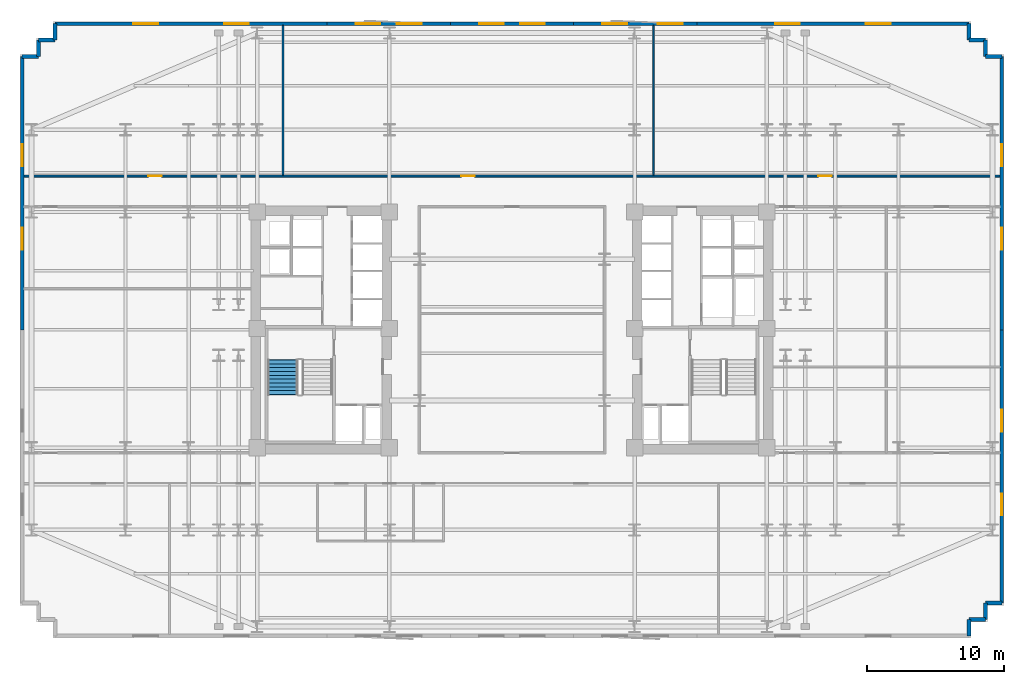
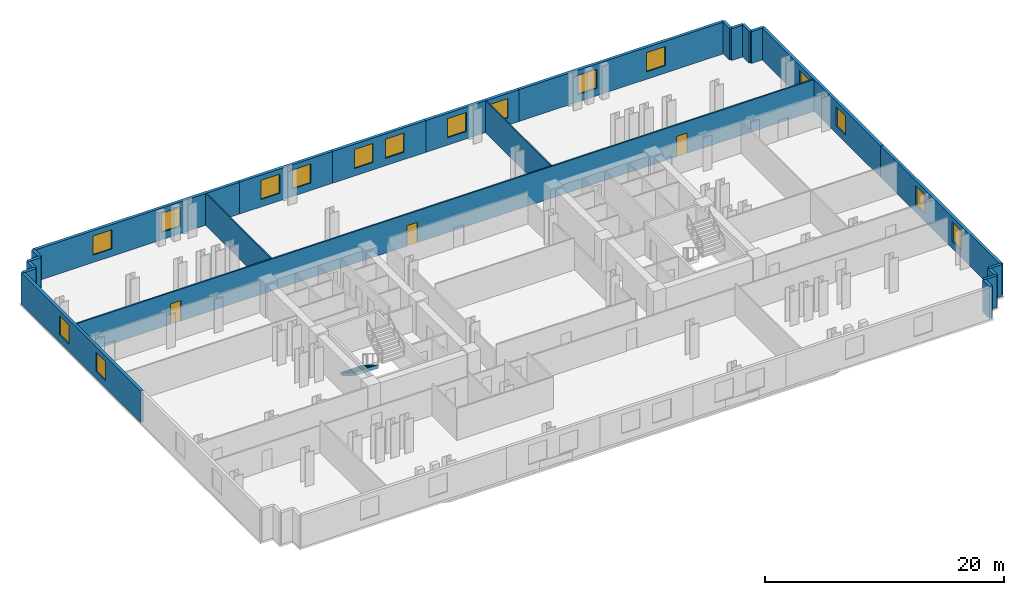
# One storey, part 7 of 10: 23 walls, 16 windows, 3 doors, 1 stair flight, 19 openings, 1 element without a shape of its own.
"""IFC4 building model written with IfcOpenShell, lengths in metres."""

from ifc_helpers import new_model, si_unit, direction, frame, frame_2d, origin, place, context, subcontext, project, spatial, polyline, rectangle, outline, extrude, material, layer, layer_set, type_object, element, fill, aggregate, save


model = new_model("IFC4")

# Units and contexts
model_context = context("Model", 3, precision=1e-05, world=origin(), true_north=direction((0.0, 1.0)))
body_context = subcontext(model_context, "Body", "Model", "MODEL_VIEW")
ifc_project = project(units=[si_unit("LENGTHUNIT", "METRE"), si_unit("AREAUNIT", "SQUARE_METRE"), si_unit("VOLUMEUNIT", "CUBIC_METRE"), si_unit("PLANEANGLEUNIT", "RADIAN"), si_unit("MASSUNIT", "GRAM", prefix="KILO")], contexts=[model_context])

# Site, building, storey
site_placement = place(None, origin())
site = spatial("IfcSite", under=ifc_project, at=site_placement, CompositionType="ELEMENT")
building_placement = place(site_placement, origin())
building = spatial("IfcBuilding", under=site, at=building_placement, Name="Velakula Bourse", CompositionType="ELEMENT")
storey_placement = place(building_placement, frame((0.0, 0.0, 38.10009765625)))
storey = spatial("IfcBuildingStorey", under=building, at=storey_placement, Name="L09", CompositionType="ELEMENT", Elevation=38.10009765625)

# Wall, openings, windows
ifc_material_1 = material(Name="Red kilned clay facing brick masonry", Category="masonry")
ifc_layer_1 = layer(ifc_material_1, 0.280029296875, Name="Red kilned clay facing brick masonry", Category="masonry")
ifc_layer_set_1 = layer_set([ifc_layer_1], Name="Red kilned clay facing brick masonry")
wall_type_1 = type_object("IfcWallType", Name="WL-EXT-BRK-280", PredefinedType="STANDARD", material=ifc_layer_set_1)
wall_1_placement = place(storey_placement, frame((-33.340087890625, 22.340087890625, 0.0), z_axis=(0.0, 0.0, 1.0), x_axis=(1.0, 0.0, 0.0)))
wall_1 = element("IfcWall", 1, at=wall_1_placement, inside=storey, type_object=wall_type_1, Name="L09 N Brick Spandrel Wall B1", PredefinedType="STANDARD", context=body_context, shape_type="SweptSolid", body=[
    extrude(rectangle(XDim=19.840087890625, YDim=0.280029296875, at=frame_2d((9.919921875, 0.0))), origin(), (0.0, 0.0, 1.0), 3.25),
])
opening_1_placement = place(wall_1_placement, frame((5.71337890625, 0.0, 0.760009765625)))
opening_1 = element("IfcOpeningElement", 2, at=opening_1_placement, cuts=wall_1, Name="Opening W-01", PredefinedType="OPENING", context=body_context, shape_type="SweptSolid", body=[
    extrude(rectangle(XDim=1.800048828125, YDim=1.949951171875, at=frame_2d((0.89990234375, 0.97509765625))), frame((0.0, 0.14990234375, 0.0), z_axis=(0.0, -1.0, 0.0), x_axis=(1.0, 0.0, 0.0)), (0.0, 0.0, 1.0), 0.300048828125),
])
opening_2_placement = place(wall_1_placement, frame((12.32666015625, 0.0, 0.760009765625)))
opening_2 = element("IfcOpeningElement", 3, at=opening_2_placement, cuts=wall_1, Name="Opening W-01", PredefinedType="OPENING", context=body_context, shape_type="SweptSolid", body=[
    extrude(rectangle(XDim=1.800048828125, YDim=1.949951171875, at=frame_2d((0.89990234375, 0.97509765625))), frame((0.0, 0.14990234375, 0.0), z_axis=(0.0, -1.0, 0.0), x_axis=(1.0, 0.0, 0.0)), (0.0, 0.0, 1.0), 0.300048828125),
])
ifc_material_2 = material(Name="Double-glazed solar-control Low-E glass", Category="glass")
window_type_1 = type_object("IfcWindowType", Name="WIN-TWR-1800x2100", PartitioningType="SINGLE_PANEL", PredefinedType="WINDOW", material=ifc_material_2)
window_1_placement = place(opening_1_placement, origin())
window_1 = element("IfcWindow", 4, at=window_1_placement, inside=storey, type_object=window_type_1, Name="L09 Deep-Set Recessed Window 1", OverallHeight=1.949951171875, OverallWidth=1.800048828125, PartitioningType="SINGLE_PANEL", PredefinedType="WINDOW", context=body_context, shape_type="SweptSolid", body=[
    extrude(rectangle(XDim=1.800048828125, YDim=1.949951171875, at=frame_2d((0.89990234375, 0.97509765625))), frame((0.0, 0.030029296875, 0.0), z_axis=(0.0, -1.0, 0.0), x_axis=(1.0, 0.0, 0.0)), (0.0, 0.0, 1.0), 0.06005859375),
])
fill(opening_1, window_1)
window_2_placement = place(opening_2_placement, origin())
window_2 = element("IfcWindow", 5, at=window_2_placement, inside=storey, type_object=window_type_1, Name="L09 Deep-Set Recessed Window 2", OverallHeight=1.949951171875, OverallWidth=1.800048828125, PartitioningType="SINGLE_PANEL", PredefinedType="WINDOW", context=body_context, shape_type="SweptSolid", body=[
    extrude(rectangle(XDim=1.800048828125, YDim=1.949951171875, at=frame_2d((0.89990234375, 0.97509765625))), frame((0.0, 0.030029296875, 0.0), z_axis=(0.0, -1.0, 0.0), x_axis=(1.0, 0.0, 0.0)), (0.0, 0.0, 1.0), 0.06005859375),
])
fill(opening_2, window_2)

wall_2_placement = place(storey_placement, frame((-13.5, 22.340087890625, 0.0), z_axis=(0.0, 0.0, 1.0), x_axis=(1.0, 0.0, 0.0)))
wall_2 = element("IfcWall", 6, at=wall_2_placement, inside=storey, type_object=wall_type_1, Name="L09 N Brick Spandrel Wall B2", PredefinedType="STANDARD", context=body_context, shape_type="SweptSolid", body=[
    extrude(rectangle(XDim=9.0, YDim=0.280029296875, at=frame_2d((4.5, 0.0))), origin(), (0.0, 0.0, 1.0), 3.25),
])
opening_3_placement = place(wall_2_placement, frame((2.10009765625, 0.0, 0.760009765625)))
opening_3 = element("IfcOpeningElement", 7, at=opening_3_placement, cuts=wall_2, Name="Opening W-01", PredefinedType="OPENING", context=body_context, shape_type="SweptSolid", body=[
    extrude(rectangle(XDim=1.800048828125, YDim=1.949951171875, at=frame_2d((0.89990234375, 0.97509765625))), frame((0.0, 0.14990234375, 0.0), z_axis=(0.0, -1.0, 0.0), x_axis=(1.0, 0.0, 0.0)), (0.0, 0.0, 1.0), 0.300048828125),
])
opening_4_placement = place(wall_2_placement, frame((5.10009765625, 0.0, 0.760009765625)))
opening_4 = element("IfcOpeningElement", 8, at=opening_4_placement, cuts=wall_2, Name="Opening W-01", PredefinedType="OPENING", context=body_context, shape_type="SweptSolid", body=[
    extrude(rectangle(XDim=1.800048828125, YDim=1.949951171875, at=frame_2d((0.89990234375, 0.97509765625))), frame((0.0, 0.14990234375, 0.0), z_axis=(0.0, -1.0, 0.0), x_axis=(1.0, 0.0, 0.0)), (0.0, 0.0, 1.0), 0.300048828125),
])
window_3_placement = place(opening_3_placement, origin())
window_3 = element("IfcWindow", 9, at=window_3_placement, inside=storey, type_object=window_type_1, Name="L09 Deep-Set Recessed Window 1", OverallHeight=1.949951171875, OverallWidth=1.800048828125, PartitioningType="SINGLE_PANEL", PredefinedType="WINDOW", context=body_context, shape_type="SweptSolid", body=[
    extrude(rectangle(XDim=1.800048828125, YDim=1.949951171875, at=frame_2d((0.89990234375, 0.97509765625))), frame((0.0, 0.030029296875, 0.0), z_axis=(0.0, -1.0, 0.0), x_axis=(1.0, 0.0, 0.0)), (0.0, 0.0, 1.0), 0.06005859375),
])
fill(opening_3, window_3)
window_4_placement = place(opening_4_placement, origin())
window_4 = element("IfcWindow", 10, at=window_4_placement, inside=storey, type_object=window_type_1, Name="L09 Deep-Set Recessed Window 2", OverallHeight=1.949951171875, OverallWidth=1.800048828125, PartitioningType="SINGLE_PANEL", PredefinedType="WINDOW", context=body_context, shape_type="SweptSolid", body=[
    extrude(rectangle(XDim=1.800048828125, YDim=1.949951171875, at=frame_2d((0.89990234375, 0.97509765625))), frame((0.0, 0.030029296875, 0.0), z_axis=(0.0, -1.0, 0.0), x_axis=(1.0, 0.0, 0.0)), (0.0, 0.0, 1.0), 0.06005859375),
])
fill(opening_4, window_4)

wall_3_placement = place(storey_placement, frame((-4.5, 22.340087890625, 0.0), z_axis=(0.0, 0.0, 1.0), x_axis=(1.0, 0.0, 0.0)))
wall_3 = element("IfcWall", 11, at=wall_3_placement, inside=storey, type_object=wall_type_1, Name="L09 N Brick Spandrel Wall B3", PredefinedType="STANDARD", context=body_context, shape_type="SweptSolid", body=[
    extrude(rectangle(XDim=9.0, YDim=0.280029296875, at=frame_2d((4.5, 0.0))), origin(), (0.0, 0.0, 1.0), 3.25),
])
opening_5_placement = place(wall_3_placement, frame((2.10009765625, 0.0, 0.760009765625)))
opening_5 = element("IfcOpeningElement", 12, at=opening_5_placement, cuts=wall_3, Name="Opening W-01", PredefinedType="OPENING", context=body_context, shape_type="SweptSolid", body=[
    extrude(rectangle(XDim=1.800048828125, YDim=1.949951171875, at=frame_2d((0.89990234375, 0.97509765625))), frame((0.0, 0.14990234375, 0.0), z_axis=(0.0, -1.0, 0.0), x_axis=(1.0, 0.0, 0.0)), (0.0, 0.0, 1.0), 0.300048828125),
])
opening_6_placement = place(wall_3_placement, frame((5.10009765625, 0.0, 0.760009765625)))
opening_6 = element("IfcOpeningElement", 13, at=opening_6_placement, cuts=wall_3, Name="Opening W-01", PredefinedType="OPENING", context=body_context, shape_type="SweptSolid", body=[
    extrude(rectangle(XDim=1.800048828125, YDim=1.949951171875, at=frame_2d((0.89990234375, 0.97509765625))), frame((0.0, 0.14990234375, 0.0), z_axis=(0.0, -1.0, 0.0), x_axis=(1.0, 0.0, 0.0)), (0.0, 0.0, 1.0), 0.300048828125),
])
window_5_placement = place(opening_5_placement, origin())
window_5 = element("IfcWindow", 14, at=window_5_placement, inside=storey, type_object=window_type_1, Name="L09 Deep-Set Recessed Window 1", OverallHeight=1.949951171875, OverallWidth=1.800048828125, PartitioningType="SINGLE_PANEL", PredefinedType="WINDOW", context=body_context, shape_type="SweptSolid", body=[
    extrude(rectangle(XDim=1.800048828125, YDim=1.949951171875, at=frame_2d((0.89990234375, 0.97509765625))), frame((0.0, 0.030029296875, 0.0), z_axis=(0.0, -1.0, 0.0), x_axis=(1.0, 0.0, 0.0)), (0.0, 0.0, 1.0), 0.06005859375),
])
fill(opening_5, window_5)
window_6_placement = place(opening_6_placement, origin())
window_6 = element("IfcWindow", 15, at=window_6_placement, inside=storey, type_object=window_type_1, Name="L09 Deep-Set Recessed Window 2", OverallHeight=1.949951171875, OverallWidth=1.800048828125, PartitioningType="SINGLE_PANEL", PredefinedType="WINDOW", context=body_context, shape_type="SweptSolid", body=[
    extrude(rectangle(XDim=1.800048828125, YDim=1.949951171875, at=frame_2d((0.89990234375, 0.97509765625))), frame((0.0, 0.030029296875, 0.0), z_axis=(0.0, -1.0, 0.0), x_axis=(1.0, 0.0, 0.0)), (0.0, 0.0, 1.0), 0.06005859375),
])
fill(opening_6, window_6)

wall_4_placement = place(storey_placement, frame((4.5, 22.340087890625, 0.0), z_axis=(0.0, 0.0, 1.0), x_axis=(1.0, 0.0, 0.0)))
wall_4 = element("IfcWall", 16, at=wall_4_placement, inside=storey, type_object=wall_type_1, Name="L09 N Brick Spandrel Wall B4", PredefinedType="STANDARD", context=body_context, shape_type="SweptSolid", body=[
    extrude(rectangle(XDim=9.0, YDim=0.280029296875, at=frame_2d((4.5, 0.0))), origin(), (0.0, 0.0, 1.0), 3.25),
])
opening_7_placement = place(wall_4_placement, frame((2.10009765625, 0.0, 0.760009765625)))
opening_7 = element("IfcOpeningElement", 17, at=opening_7_placement, cuts=wall_4, Name="Opening W-01", PredefinedType="OPENING", context=body_context, shape_type="SweptSolid", body=[
    extrude(rectangle(XDim=1.800048828125, YDim=1.949951171875, at=frame_2d((0.89990234375, 0.97509765625))), frame((0.0, 0.14990234375, 0.0), z_axis=(0.0, -1.0, 0.0), x_axis=(1.0, 0.0, 0.0)), (0.0, 0.0, 1.0), 0.300048828125),
])
opening_8_placement = place(wall_4_placement, frame((6.14990234375, 0.0, 0.760009765625)))
opening_8 = element("IfcOpeningElement", 18, at=opening_8_placement, cuts=wall_4, Name="Opening W-01", PredefinedType="OPENING", context=body_context, shape_type="SweptSolid", body=[
    extrude(rectangle(XDim=1.800048828125, YDim=1.949951171875, at=frame_2d((0.89990234375, 0.97509765625))), frame((0.0, 0.14990234375, 0.0), z_axis=(0.0, -1.0, 0.0), x_axis=(1.0, 0.0, 0.0)), (0.0, 0.0, 1.0), 0.300048828125),
])
window_7_placement = place(opening_7_placement, origin())
window_7 = element("IfcWindow", 19, at=window_7_placement, inside=storey, type_object=window_type_1, Name="L09 Deep-Set Recessed Window 1", OverallHeight=1.949951171875, OverallWidth=1.800048828125, PartitioningType="SINGLE_PANEL", PredefinedType="WINDOW", context=body_context, shape_type="SweptSolid", body=[
    extrude(rectangle(XDim=1.800048828125, YDim=1.949951171875, at=frame_2d((0.89990234375, 0.97509765625))), frame((0.0, 0.030029296875, 0.0), z_axis=(0.0, -1.0, 0.0), x_axis=(1.0, 0.0, 0.0)), (0.0, 0.0, 1.0), 0.06005859375),
])
fill(opening_7, window_7)
window_8_placement = place(opening_8_placement, origin())
window_8 = element("IfcWindow", 20, at=window_8_placement, inside=storey, type_object=window_type_1, Name="L09 Deep-Set Recessed Window 2", OverallHeight=1.949951171875, OverallWidth=1.800048828125, PartitioningType="SINGLE_PANEL", PredefinedType="WINDOW", context=body_context, shape_type="SweptSolid", body=[
    extrude(rectangle(XDim=1.800048828125, YDim=1.949951171875, at=frame_2d((0.89990234375, 0.97509765625))), frame((0.0, 0.030029296875, 0.0), z_axis=(0.0, -1.0, 0.0), x_axis=(1.0, 0.0, 0.0)), (0.0, 0.0, 1.0), 0.06005859375),
])
fill(opening_8, window_8)

wall_5_placement = place(storey_placement, frame((13.5, 22.340087890625, 0.0), z_axis=(0.0, 0.0, 1.0), x_axis=(1.0, 0.0, 0.0)))
wall_5 = element("IfcWall", 21, at=wall_5_placement, inside=storey, type_object=wall_type_1, Name="L09 N Brick Spandrel Wall B5", PredefinedType="STANDARD", context=body_context, shape_type="SweptSolid", body=[
    extrude(rectangle(XDim=19.840087890625, YDim=0.280029296875, at=frame_2d((9.919921875, 0.0))), origin(), (0.0, 0.0, 1.0), 3.25),
])
opening_9_placement = place(wall_5_placement, frame((5.71337890625, 0.0, 0.760009765625)))
opening_9 = element("IfcOpeningElement", 22, at=opening_9_placement, cuts=wall_5, Name="Opening W-01", PredefinedType="OPENING", context=body_context, shape_type="SweptSolid", body=[
    extrude(rectangle(XDim=1.800048828125, YDim=1.949951171875, at=frame_2d((0.89990234375, 0.97509765625))), frame((0.0, 0.14990234375, 0.0), z_axis=(0.0, -1.0, 0.0), x_axis=(1.0, 0.0, 0.0)), (0.0, 0.0, 1.0), 0.300048828125),
])
opening_10_placement = place(wall_5_placement, frame((12.32666015625, 0.0, 0.760009765625)))
opening_10 = element("IfcOpeningElement", 23, at=opening_10_placement, cuts=wall_5, Name="Opening W-01", PredefinedType="OPENING", context=body_context, shape_type="SweptSolid", body=[
    extrude(rectangle(XDim=1.800048828125, YDim=1.949951171875, at=frame_2d((0.89990234375, 0.97509765625))), frame((0.0, 0.14990234375, 0.0), z_axis=(0.0, -1.0, 0.0), x_axis=(1.0, 0.0, 0.0)), (0.0, 0.0, 1.0), 0.300048828125),
])
window_9_placement = place(opening_9_placement, origin())
window_9 = element("IfcWindow", 24, at=window_9_placement, inside=storey, type_object=window_type_1, Name="L09 Deep-Set Recessed Window 1", OverallHeight=1.949951171875, OverallWidth=1.800048828125, PartitioningType="SINGLE_PANEL", PredefinedType="WINDOW", context=body_context, shape_type="SweptSolid", body=[
    extrude(rectangle(XDim=1.800048828125, YDim=1.949951171875, at=frame_2d((0.89990234375, 0.97509765625))), frame((0.0, 0.030029296875, 0.0), z_axis=(0.0, -1.0, 0.0), x_axis=(1.0, 0.0, 0.0)), (0.0, 0.0, 1.0), 0.06005859375),
])
fill(opening_9, window_9)
window_10_placement = place(opening_10_placement, origin())
window_10 = element("IfcWindow", 25, at=window_10_placement, inside=storey, type_object=window_type_1, Name="L09 Deep-Set Recessed Window 2", OverallHeight=1.949951171875, OverallWidth=1.800048828125, PartitioningType="SINGLE_PANEL", PredefinedType="WINDOW", context=body_context, shape_type="SweptSolid", body=[
    extrude(rectangle(XDim=1.800048828125, YDim=1.949951171875, at=frame_2d((0.89990234375, 0.97509765625))), frame((0.0, 0.030029296875, 0.0), z_axis=(0.0, -1.0, 0.0), x_axis=(1.0, 0.0, 0.0)), (0.0, 0.0, 1.0), 0.06005859375),
])
fill(opening_10, window_10)

wall_6_placement = place(storey_placement, frame((-35.739990234375, 0.0, 0.0), z_axis=(0.0, 0.0, 1.0), x_axis=(0.0, 1.0, 0.0)))
wall_6 = element("IfcWall", 26, at=wall_6_placement, inside=storey, type_object=wall_type_1, Name="L09 W Brick End Wall W2", PredefinedType="STANDARD", context=body_context, shape_type="SweptSolid", body=[
    extrude(rectangle(XDim=19.93994140625, YDim=0.280029296875, at=frame_2d((9.969970703125, 0.0))), origin(), (0.0, 0.0, 1.0), 3.25),
])
opening_11_placement = place(wall_6_placement, frame((5.8466796875, 0.0, 0.760009765625)))
opening_11 = element("IfcOpeningElement", 27, at=opening_11_placement, cuts=wall_6, Name="Opening W-02", PredefinedType="OPENING", context=body_context, shape_type="SweptSolid", body=[
    extrude(rectangle(XDim=1.60009765625, YDim=1.949951171875, at=frame_2d((0.800048828125, 0.97509765625))), frame((0.0, 0.14990234375, 0.0), z_axis=(0.0, -1.0, 0.0), x_axis=(1.0, 0.0, 0.0)), (0.0, 0.0, 1.0), 0.300048828125),
])
opening_12_placement = place(wall_6_placement, frame((11.943359375, 0.0, 0.760009765625)))
opening_12 = element("IfcOpeningElement", 28, at=opening_12_placement, cuts=wall_6, Name="Opening W-02", PredefinedType="OPENING", context=body_context, shape_type="SweptSolid", body=[
    extrude(rectangle(XDim=1.60009765625, YDim=1.949951171875, at=frame_2d((0.800048828125, 0.97509765625))), frame((0.0, 0.14990234375, 0.0), z_axis=(0.0, -1.0, 0.0), x_axis=(1.0, 0.0, 0.0)), (0.0, 0.0, 1.0), 0.300048828125),
])
window_type_2 = type_object("IfcWindowType", Name="WIN-TWR-1600x2100", PartitioningType="SINGLE_PANEL", PredefinedType="WINDOW", material=ifc_material_2)
window_11_placement = place(opening_11_placement, origin())
window_11 = element("IfcWindow", 29, at=window_11_placement, inside=storey, type_object=window_type_2, Name="L09 Deep-Set Recessed Window 1", OverallHeight=1.949951171875, OverallWidth=1.60009765625, PartitioningType="SINGLE_PANEL", PredefinedType="WINDOW", context=body_context, shape_type="SweptSolid", body=[
    extrude(rectangle(XDim=1.60009765625, YDim=1.949951171875, at=frame_2d((0.800048828125, 0.97509765625))), frame((0.0, 0.030029296875, 0.0), z_axis=(0.0, -1.0, 0.0), x_axis=(1.0, 0.0, 0.0)), (0.0, 0.0, 1.0), 0.06005859375),
])
fill(opening_11, window_11)
window_12_placement = place(opening_12_placement, origin())
window_12 = element("IfcWindow", 30, at=window_12_placement, inside=storey, type_object=window_type_2, Name="L09 Deep-Set Recessed Window 2", OverallHeight=1.949951171875, OverallWidth=1.60009765625, PartitioningType="SINGLE_PANEL", PredefinedType="WINDOW", context=body_context, shape_type="SweptSolid", body=[
    extrude(rectangle(XDim=1.60009765625, YDim=1.949951171875, at=frame_2d((0.800048828125, 0.97509765625))), frame((0.0, 0.030029296875, 0.0), z_axis=(0.0, -1.0, 0.0), x_axis=(1.0, 0.0, 0.0)), (0.0, 0.0, 1.0), 0.06005859375),
])
fill(opening_12, window_12)

wall_7_placement = place(storey_placement, frame((35.739990234375, 0.0, 0.0), z_axis=(0.0, 0.0, 1.0), x_axis=(0.0, -1.0, 0.0)))
wall_7 = element("IfcWall", 31, at=wall_7_placement, inside=storey, type_object=wall_type_1, Name="L09 E Brick End Wall W1", PredefinedType="STANDARD", context=body_context, shape_type="SweptSolid", body=[
    extrude(rectangle(XDim=19.93994140625, YDim=0.280029296875, at=frame_2d((9.969970703125, 0.0))), origin(), (0.0, 0.0, 1.0), 3.25),
])
opening_13_placement = place(wall_7_placement, frame((5.8466796875, 0.0, 0.760009765625)))
opening_13 = element("IfcOpeningElement", 32, at=opening_13_placement, cuts=wall_7, Name="Opening W-02", PredefinedType="OPENING", context=body_context, shape_type="SweptSolid", body=[
    extrude(rectangle(XDim=1.60009765625, YDim=1.949951171875, at=frame_2d((0.800048828125, 0.97509765625))), frame((0.0, 0.14990234375, 0.0), z_axis=(0.0, -1.0, 0.0), x_axis=(1.0, 0.0, 0.0)), (0.0, 0.0, 1.0), 0.300048828125),
])
opening_14_placement = place(wall_7_placement, frame((11.943359375, 0.0, 0.760009765625)))
opening_14 = element("IfcOpeningElement", 33, at=opening_14_placement, cuts=wall_7, Name="Opening W-02", PredefinedType="OPENING", context=body_context, shape_type="SweptSolid", body=[
    extrude(rectangle(XDim=1.60009765625, YDim=1.949951171875, at=frame_2d((0.800048828125, 0.97509765625))), frame((0.0, 0.14990234375, 0.0), z_axis=(0.0, -1.0, 0.0), x_axis=(1.0, 0.0, 0.0)), (0.0, 0.0, 1.0), 0.300048828125),
])
window_13_placement = place(opening_13_placement, origin())
window_13 = element("IfcWindow", 34, at=window_13_placement, inside=storey, type_object=window_type_2, Name="L09 Deep-Set Recessed Window 1", OverallHeight=1.949951171875, OverallWidth=1.60009765625, PartitioningType="SINGLE_PANEL", PredefinedType="WINDOW", context=body_context, shape_type="SweptSolid", body=[
    extrude(rectangle(XDim=1.60009765625, YDim=1.949951171875, at=frame_2d((0.800048828125, 0.97509765625))), frame((0.0, 0.030029296875, 0.0), z_axis=(0.0, -1.0, 0.0), x_axis=(1.0, 0.0, 0.0)), (0.0, 0.0, 1.0), 0.06005859375),
])
fill(opening_13, window_13)
window_14_placement = place(opening_14_placement, origin())
window_14 = element("IfcWindow", 35, at=window_14_placement, inside=storey, type_object=window_type_2, Name="L09 Deep-Set Recessed Window 2", OverallHeight=1.949951171875, OverallWidth=1.60009765625, PartitioningType="SINGLE_PANEL", PredefinedType="WINDOW", context=body_context, shape_type="SweptSolid", body=[
    extrude(rectangle(XDim=1.60009765625, YDim=1.949951171875, at=frame_2d((0.800048828125, 0.97509765625))), frame((0.0, 0.030029296875, 0.0), z_axis=(0.0, -1.0, 0.0), x_axis=(1.0, 0.0, 0.0)), (0.0, 0.0, 1.0), 0.06005859375),
])
fill(opening_14, window_14)

wall_8_placement = place(storey_placement, frame((35.739990234375, 19.93994140625, 0.0), z_axis=(0.0, 0.0, 1.0), x_axis=(0.0, -1.0, 0.0)))
wall_8 = element("IfcWall", 36, at=wall_8_placement, inside=storey, type_object=wall_type_1, Name="L09 E Brick End Wall W2", PredefinedType="STANDARD", context=body_context, shape_type="SweptSolid", body=[
    extrude(rectangle(XDim=19.93994140625, YDim=0.280029296875, at=frame_2d((9.969970703125, 0.0))), origin(), (0.0, 0.0, 1.0), 3.25),
])
opening_15_placement = place(wall_8_placement, frame((6.396728515625, 0.0, 0.760009765625)))
opening_15 = element("IfcOpeningElement", 37, at=opening_15_placement, cuts=wall_8, Name="Opening W-02", PredefinedType="OPENING", context=body_context, shape_type="SweptSolid", body=[
    extrude(rectangle(XDim=1.60009765625, YDim=1.949951171875, at=frame_2d((0.800048828125, 0.97509765625))), frame((0.0, 0.14990234375, 0.0), z_axis=(0.0, -1.0, 0.0), x_axis=(1.0, 0.0, 0.0)), (0.0, 0.0, 1.0), 0.300048828125),
])
opening_16_placement = place(wall_8_placement, frame((12.493408203125, 0.0, 0.760009765625)))
opening_16 = element("IfcOpeningElement", 38, at=opening_16_placement, cuts=wall_8, Name="Opening W-02", PredefinedType="OPENING", context=body_context, shape_type="SweptSolid", body=[
    extrude(rectangle(XDim=1.60009765625, YDim=1.949951171875, at=frame_2d((0.800048828125, 0.97509765625))), frame((0.0, 0.14990234375, 0.0), z_axis=(0.0, -1.0, 0.0), x_axis=(1.0, 0.0, 0.0)), (0.0, 0.0, 1.0), 0.300048828125),
])
window_15_placement = place(opening_15_placement, origin())
window_15 = element("IfcWindow", 39, at=window_15_placement, inside=storey, type_object=window_type_2, Name="L09 Deep-Set Recessed Window 1", OverallHeight=1.949951171875, OverallWidth=1.60009765625, PartitioningType="SINGLE_PANEL", PredefinedType="WINDOW", context=body_context, shape_type="SweptSolid", body=[
    extrude(rectangle(XDim=1.60009765625, YDim=1.949951171875, at=frame_2d((0.800048828125, 0.97509765625))), frame((0.0, 0.030029296875, 0.0), z_axis=(0.0, -1.0, 0.0), x_axis=(1.0, 0.0, 0.0)), (0.0, 0.0, 1.0), 0.06005859375),
])
fill(opening_15, window_15)
window_16_placement = place(opening_16_placement, origin())
window_16 = element("IfcWindow", 40, at=window_16_placement, inside=storey, type_object=window_type_2, Name="L09 Deep-Set Recessed Window 2", OverallHeight=1.949951171875, OverallWidth=1.60009765625, PartitioningType="SINGLE_PANEL", PredefinedType="WINDOW", context=body_context, shape_type="SweptSolid", body=[
    extrude(rectangle(XDim=1.60009765625, YDim=1.949951171875, at=frame_2d((0.800048828125, 0.97509765625))), frame((0.0, 0.030029296875, 0.0), z_axis=(0.0, -1.0, 0.0), x_axis=(1.0, 0.0, 0.0)), (0.0, 0.0, 1.0), 0.06005859375),
])
fill(opening_16, window_16)

# Walls
wall_9_placement = place(storey_placement, frame((33.340087890625, -22.340087890625, 0.0), z_axis=(0.0, 0.0, 1.0), x_axis=(0.0, 1.0, 0.0)))
element("IfcWall", 41, at=wall_9_placement, inside=storey, type_object=wall_type_1, Name="L09 Serrated Corner Brick Wall SE-1", PredefinedType="STANDARD", context=body_context, shape_type="SweptSolid", body=[
    extrude(rectangle(XDim=1.2001953125, YDim=0.280029296875, at=frame_2d((0.60009765625, 0.0))), origin(), (0.0, 0.0, 1.0), 3.25),
])
for number, where, z_axis, x_axis, name in (
    (42, (33.340087890625, -21.139892578125, 0.0), (0.0, 0.0, 1.0), (1.0, 0.0, 0.0), "L09 Serrated Corner Brick Wall SE-2"),
    (43, (34.5400390625, -21.139892578125, 0.0), (0.0, 0.0, 1.0), (0.0, 1.0, 0.0), "L09 Serrated Corner Brick Wall SE-3"),
    (44, (34.5400390625, -19.93994140625, 0.0), (0.0, 0.0, 1.0), (1.0, 0.0, 0.0), "L09 Serrated Corner Brick Wall SE-4"),
    (45, (35.739990234375, 19.93994140625, 0.0), (0.0, 0.0, 1.0), (-1.0, 0.0, 0.0), "L09 Serrated Corner Brick Wall NE-1"),
    (46, (34.5400390625, 19.93994140625, 0.0), (0.0, 0.0, 1.0), (0.0, 1.0, 0.0), "L09 Serrated Corner Brick Wall NE-2"),
    (47, (34.5400390625, 21.139892578125, 0.0), (0.0, 0.0, 1.0), (-1.0, 0.0, 0.0), "L09 Serrated Corner Brick Wall NE-3"),
):
    element("IfcWall", number, at=place(storey_placement, frame(where, z_axis=z_axis, x_axis=x_axis)), inside=storey, type_object=wall_type_1, Name=name, PredefinedType="STANDARD", context=body_context, shape_type="SweptSolid", body=[
        extrude(rectangle(XDim=1.199951171875, YDim=0.280029296875, at=frame_2d((0.60009765625, 0.0))), origin(), (0.0, 0.0, 1.0), 3.25),
    ])
for number, where, z_axis, x_axis, name in (
    (48, (33.340087890625, 21.139892578125, 0.0), (0.0, 0.0, 1.0), (0.0, 1.0, 0.0), "L09 Serrated Corner Brick Wall NE-4"),
    (49, (-33.340087890625, 22.340087890625, 0.0), (0.0, 0.0, 1.0), (0.0, -1.0, 0.0), "L09 Serrated Corner Brick Wall NW-1"),
):
    element("IfcWall", number, at=place(storey_placement, frame(where, z_axis=z_axis, x_axis=x_axis)), inside=storey, type_object=wall_type_1, Name=name, PredefinedType="STANDARD", context=body_context, shape_type="SweptSolid", body=[
        extrude(rectangle(XDim=1.2001953125, YDim=0.280029296875, at=frame_2d((0.60009765625, 0.0))), origin(), (0.0, 0.0, 1.0), 3.25),
    ])
for number, where, z_axis, x_axis, name in (
    (50, (-33.340087890625, 21.139892578125, 0.0), (0.0, 0.0, 1.0), (-1.0, 0.0, 0.0), "L09 Serrated Corner Brick Wall NW-2"),
    (51, (-34.5400390625, 21.139892578125, 0.0), (0.0, 0.0, 1.0), (0.0, -1.0, 0.0), "L09 Serrated Corner Brick Wall NW-3"),
    (52, (-34.5400390625, 19.93994140625, 0.0), (0.0, 0.0, 1.0), (-1.0, 0.0, 0.0), "L09 Serrated Corner Brick Wall NW-4"),
):
    element("IfcWall", number, at=place(storey_placement, frame(where, z_axis=z_axis, x_axis=x_axis)), inside=storey, type_object=wall_type_1, Name=name, PredefinedType="STANDARD", context=body_context, shape_type="SweptSolid", body=[
        extrude(rectangle(XDim=1.199951171875, YDim=0.280029296875, at=frame_2d((0.60009765625, 0.0))), origin(), (0.0, 0.0, 1.0), 3.25),
    ])
ifc_material_3 = material(Name="Fire-rated double-layer gypsum drywall partition", Category="gypsum")
ifc_layer_2 = layer(ifc_material_3, 0.1201171875, Name="Fire-rated double-layer gypsum drywall partition", Category="gypsum")
ifc_layer_set_2 = layer_set([ifc_layer_2], Name="Fire-rated double-layer gypsum drywall partition")
wall_type_2 = type_object("IfcWallType", Name="WL-PART-120", PredefinedType="STANDARD", material=ifc_layer_set_2)
for number, where, z_axis, x_axis, name in (
    (53, (-16.712890625, 11.2900390625, 0.0), (0.0, 0.0, 1.0), (0.0, 1.0, 0.0), "L09 Interior Partition WL-INT-L09-N-D1"),
    (54, (10.31201171875, 11.2900390625, 0.0), (0.0, 0.0, 1.0), (0.0, 1.0, 0.0), "L09 Interior Partition WL-INT-L09-N-D2"),
):
    element("IfcWall", number, at=place(storey_placement, frame(where, z_axis=z_axis, x_axis=x_axis)), inside=storey, type_object=wall_type_2, Name=name, PredefinedType="STANDARD", context=body_context, shape_type="SweptSolid", body=[
        extrude(rectangle(XDim=10.929931640625, YDim=0.1201171875, at=frame_2d((5.46484375, 0.0))), origin(), (0.0, 0.0, 1.0), 3.25),
    ])

# Wall, openings, doors
ifc_layer_3 = layer(ifc_material_3, 0.139892578125, Name="Fire-rated double-layer gypsum drywall partition", Category="gypsum")
ifc_layer_set_3 = layer_set([ifc_layer_3], Name="Fire-rated double-layer gypsum drywall partition")
wall_type_3 = type_object("IfcWallType", Name="WL-PART-140", PredefinedType="STANDARD", material=ifc_layer_set_3)
wall_10_placement = place(storey_placement, frame((-35.6201171875, 11.219970703125, 0.0), z_axis=(0.0, 0.0, 1.0), x_axis=(1.0, 0.0, 0.0)))
wall_10 = element("IfcWall", 55, at=wall_10_placement, inside=storey, type_object=wall_type_3, Name="L09 Interior Partition WL-INT-L09-N-CORR", PredefinedType="STANDARD", context=body_context, shape_type="SweptSolid", body=[
    extrude(rectangle(XDim=71.240234375, YDim=0.139892578125, at=frame_2d((35.6201171875, 0.0))), origin(), (0.0, 0.0, 1.0), 3.25),
])
opening_17_placement = place(wall_10_placement, frame((9.07958984375, 0.0, 0.0)))
opening_17 = element("IfcOpeningElement", 56, at=opening_17_placement, cuts=wall_10, Name="Opening D-OF1", PredefinedType="OPENING", context=body_context, shape_type="SweptSolid", body=[
    extrude(rectangle(XDim=1.0, YDim=2.080078125, at=frame_2d((0.5, 1.0400390625))), frame((0.0, 0.079833984375, 0.0), z_axis=(0.0, -1.0, 0.0), x_axis=(1.0, 0.0, 0.0)), (0.0, 0.0, 1.0), 0.159912109375),
])
opening_18_placement = place(wall_10_placement, frame((31.91943359375, 0.0, 0.0)))
opening_18 = element("IfcOpeningElement", 57, at=opening_18_placement, cuts=wall_10, Name="Opening D-OF1", PredefinedType="OPENING", context=body_context, shape_type="SweptSolid", body=[
    extrude(rectangle(XDim=1.0, YDim=2.080078125, at=frame_2d((0.5, 1.0400390625))), frame((0.0, 0.079833984375, 0.0), z_axis=(0.0, -1.0, 0.0), x_axis=(1.0, 0.0, 0.0)), (0.0, 0.0, 1.0), 0.159912109375),
])
opening_19_placement = place(wall_10_placement, frame((57.9599609375, 0.0, 0.0)))
opening_19 = element("IfcOpeningElement", 58, at=opening_19_placement, cuts=wall_10, Name="Opening D-OF1", PredefinedType="OPENING", context=body_context, shape_type="SweptSolid", body=[
    extrude(rectangle(XDim=1.0, YDim=2.080078125, at=frame_2d((0.5, 1.0400390625))), frame((0.0, 0.079833984375, 0.0), z_axis=(0.0, -1.0, 0.0), x_axis=(1.0, 0.0, 0.0)), (0.0, 0.0, 1.0), 0.159912109375),
])
ifc_material_4 = material(Name="Fire-rated hardwood flush architectural door", Category="wood")
door_type = type_object("IfcDoorType", Name="DR-OFF-1000", OperationType="NOTDEFINED", PredefinedType="DOOR", material=ifc_material_4)
door_1_placement = place(opening_17_placement, origin())
door_1 = element("IfcDoor", 59, at=door_1_placement, inside=storey, type_object=door_type, Name="L09 FX Spot Dealing Workspace Door", OperationType="SINGLE_SWING_LEFT", OverallHeight=2.080078125, OverallWidth=1.0, PredefinedType="DOOR", context=body_context, shape_type="SweptSolid", body=[
    extrude(rectangle(XDim=1.0, YDim=2.080078125, at=frame_2d((0.5, 1.0400390625))), frame((0.0, 0.02490234375, 0.0), z_axis=(0.0, -1.0, 0.0), x_axis=(1.0, 0.0, 0.0)), (0.0, 0.0, 1.0), 0.050048828125),
])
fill(opening_17, door_1)
door_2_placement = place(opening_18_placement, origin())
door_2 = element("IfcDoor", 60, at=door_2_placement, inside=storey, type_object=door_type, Name="L09 Arbitration Conference Room Door", OperationType="SINGLE_SWING_RIGHT", OverallHeight=2.080078125, OverallWidth=1.0, PredefinedType="DOOR", context=body_context, shape_type="SweptSolid", body=[
    extrude(rectangle(XDim=1.0, YDim=2.080078125, at=frame_2d((0.5, 1.0400390625))), frame((0.0, 0.02490234375, 0.0), z_axis=(0.0, -1.0, 0.0), x_axis=(1.0, 0.0, 0.0)), (0.0, 0.0, 1.0), 0.050048828125),
])
fill(opening_18, door_2)
door_3_placement = place(opening_19_placement, origin())
door_3 = element("IfcDoor", 61, at=door_3_placement, inside=storey, type_object=door_type, Name="L09 Tea Room Kitchenette Door", OperationType="SINGLE_SWING_LEFT", OverallHeight=2.080078125, OverallWidth=1.0, PredefinedType="DOOR", context=body_context, shape_type="SweptSolid", body=[
    extrude(rectangle(XDim=1.0, YDim=2.080078125, at=frame_2d((0.5, 1.0400390625))), frame((0.0, 0.02490234375, 0.0), z_axis=(0.0, -1.0, 0.0), x_axis=(1.0, 0.0, 0.0)), (0.0, 0.0, 1.0), 0.050048828125),
])
fill(opening_19, door_3)

# Stair, stair flight
ifc_material_5 = material(Name="Concrete M45 (fck 45 MPa)", Category="concrete")
stair_type = type_object("IfcStairType", Name="STR-DOG-390", PredefinedType="HALF_TURN_STAIR", material=ifc_material_5)
stair_placement = place(storey_placement, origin())
stair = element("IfcStair", 62, at=stair_placement, inside=storey, type_object=stair_type, Name="L09 West Core Exit Stair ST-W1", PredefinedType="HALF_TURN_STAIR")
ifc_layer_4 = layer(ifc_material_5, 0.195068359375, Name="Concrete M45 (fck 45 MPa)", Category="concrete")
ifc_layer_set_4 = layer_set([ifc_layer_4], Name="Concrete M45 (fck 45 MPa)")
stair_flight_type = type_object("IfcStairFlightType", Name="FLT-DOG-390", PredefinedType="STRAIGHT", material=ifc_layer_set_4)
stair_flight_placement = place(storey_placement, frame((-16.720947265625, -2.199951171875, 0.0), z_axis=(0.0, 0.0, 1.0), x_axis=(0.0, -1.0, 0.0)))
stair_flight = element("IfcStairFlight", 63, at=stair_flight_placement, type_object=stair_flight_type, Name="ST-W1 flight 1", NumberOfRisers=10, NumberOfTreads=9, PredefinedType="STRAIGHT", RiserHeight=0.1725, TreadLength=0.28, context=body_context, shape_type="SweptSolid", body=[
    extrude(outline(polyline([(-0.044921875, -0.0400390625), (-0.044921875, -0.036865234375), (-0.044921875, -0.033935546875), (-0.044921875, -0.03076171875), (-0.044921875, -0.027587890625), (-0.044921875, -0.024658203125), (-0.044921875, -0.021484375), (-0.044921875, -0.0185546875), (-0.044921875, -0.015380859375), (-0.044921875, -0.01220703125), (-0.044921875, -0.00927734375), (-0.044921875, -0.006103515625), (-0.044921875, -0.003173828125), (-0.044921875, 0.0), (0.0, 0.0), (0.0, 0.172607421875), (0.280029296875, 0.172607421875), (0.280029296875, 0.344970703125), (0.56005859375, 0.344970703125), (0.56005859375, 0.517578125), (0.840087890625, 0.517578125), (0.840087890625, 0.68994140625), (1.1201171875, 0.68994140625), (1.1201171875, 0.862548828125), (1.39990234375, 0.862548828125), (1.39990234375, 1.034912109375), (1.679931640625, 1.034912109375), (1.679931640625, 1.20751953125), (1.9599609375, 1.20751953125), (1.9599609375, 1.3798828125), (2.239990234375, 1.3798828125), (2.239990234375, 1.552490234375), (2.52001953125, 1.552490234375), (2.52001953125, 1.72509765625), (2.56494140625, 1.72509765625), (2.56494140625, 1.7001953125), (2.56494140625, 1.67529296875), (2.56494140625, 1.650390625), (2.56494140625, 1.62548828125), (2.56494140625, 1.6005859375), (2.56494140625, 1.57568359375), (2.56494140625, 1.55078125), (2.56494140625, 1.52587890625), (2.56494140625, 1.5009765625), (2.56494140625, 1.47607421875), (2.56494140625, 1.451171875), (2.56494140625, 1.42626953125), (2.56494140625, 1.4013671875), (2.56494140625, 1.37646484375), (0.285888671875, -0.0400390625), (-0.044921875, -0.0400390625)])), frame((0.0, 1.09912109375, 0.0), z_axis=(0.0, -1.0, 0.0), x_axis=(1.0, 0.0, 0.0)), (0.0, 0.0, 1.0), 2.197998046875),
])
aggregate(stair, [stair_flight])

save(model, "model.ifc")
